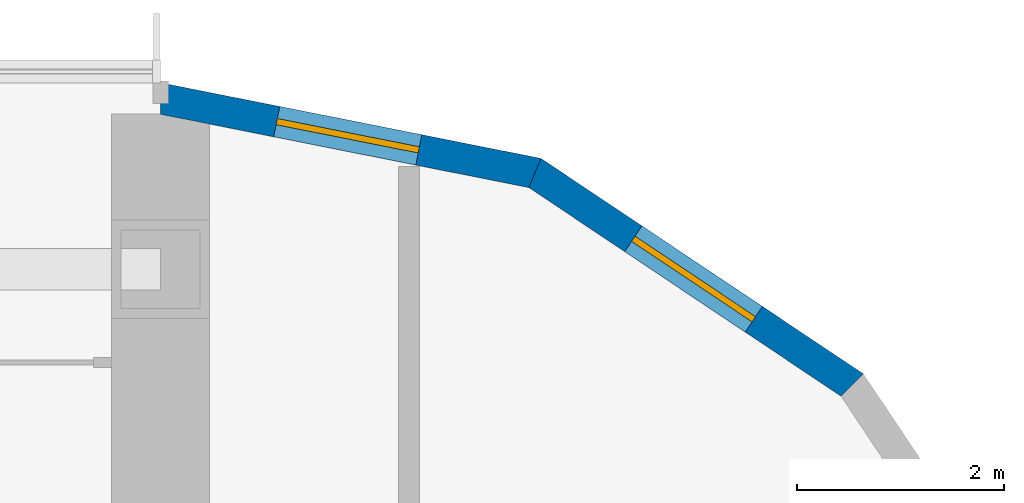
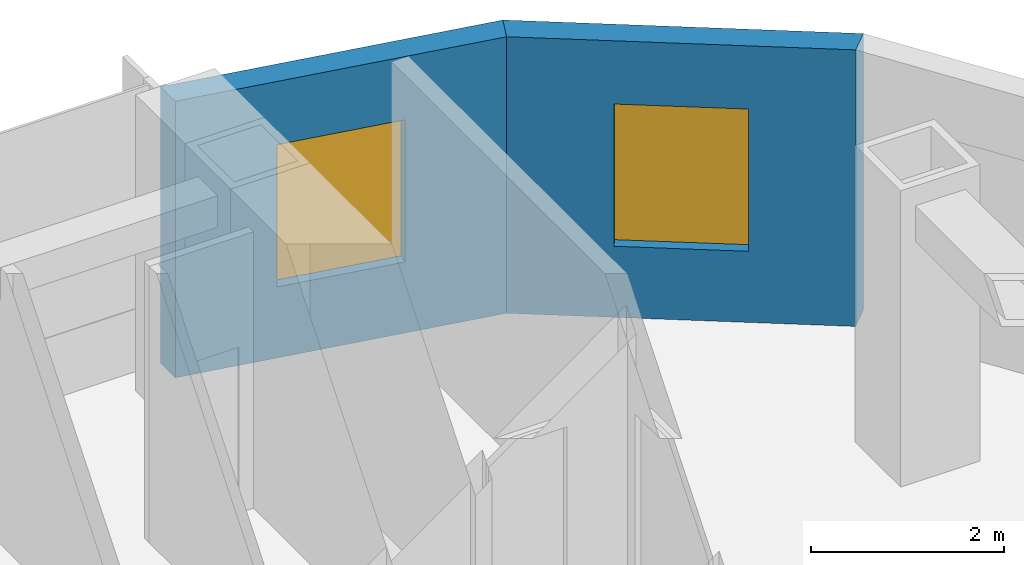
# One storey, part 16 of 21: 2 walls, 2 windows, 2 openings.
"""IFC4 building model written with IfcOpenShell, lengths in metres."""

from ifc_helpers import new_model, si_unit, direction, frame, frame_2d, origin, place, context, subcontext, project, spatial, polyline, rectangle, outline, extrude, material, layer, layer_set, type_object, element, fill, save


model = new_model("IFC4")

# Units and contexts
model_context = context("Model", 3, precision=1e-05, world=origin(), true_north=direction((0.0, 1.0)))
body_context = subcontext(model_context, "Body", "Model", "MODEL_VIEW")
ifc_project = project(units=[si_unit("LENGTHUNIT", "METRE"), si_unit("AREAUNIT", "SQUARE_METRE"), si_unit("VOLUMEUNIT", "CUBIC_METRE"), si_unit("PLANEANGLEUNIT", "RADIAN"), si_unit("MASSUNIT", "GRAM", prefix="KILO")], contexts=[model_context])

# Site, building, storey
site_placement = place(None, origin())
site = spatial("IfcSite", under=ifc_project, at=site_placement, CompositionType="ELEMENT")
building_placement = place(site_placement, origin())
building = spatial("IfcBuilding", under=site, at=building_placement, Name="Orbita Commons", CompositionType="ELEMENT")
storey_placement = place(building_placement, frame((0.0, 0.0, 106.89990234375)))
storey = spatial("IfcBuildingStorey", under=building, at=storey_placement, Name="L26", CompositionType="ELEMENT", Elevation=106.89990234375)

# Wall, opening, window
ifc_material_1 = material(Name="Precast concrete C40/50, white board-marked finish", Category="concrete")
ifc_layer = layer(ifc_material_1, 0.300048828125)
ifc_layer_set = layer_set([ifc_layer], Name="Precast concrete C40/50, white board-marked finish")
wall_type = type_object("IfcWallType", Name="Precast concrete end shield 300", PredefinedType="SOLIDWALL", material=ifc_layer_set)
wall_1_placement = place(storey_placement, frame((72.68212890625, 52.482177734375, 0.0), z_axis=(0.0, 0.0, 1.0), x_axis=(-0.831448786846, 0.555601399253, 0.0)))
wall_1 = element("IfcWall", 1, at=wall_1_placement, inside=storey, type_object=wall_type, Name="End shield NE chord 3 L26", PredefinedType="SOLIDWALL", context=body_context, shape_type="SweptSolid", body=[
    extrude(outline(polyline([(-0.02978515625, -0.14990234375), (3.717041015625, -0.14990234375), (3.657470703125, 0.14990234375), (0.02978515625, 0.14990234375), (-0.02978515625, -0.14990234375)])), origin(), (0.0, 0.0, 1.0), 3.5),
])
opening_1_placement = place(wall_1_placement, frame((1.1435546875, 0.0, 0.89990234375)))
opening_1 = element("IfcOpeningElement", 2, at=opening_1_placement, cuts=wall_1, Name="Opening W02", PredefinedType="OPENING", context=body_context, shape_type="SweptSolid", body=[
    extrude(rectangle(XDim=1.39990234375, YDim=1.800048828125, at=frame_2d((0.699951171875, 0.89990234375))), frame((0.0, 0.159912109375, 0.0), z_axis=(0.0, -1.0, 0.0), x_axis=(1.0, 0.0, 0.0)), (0.0, 0.0, 1.0), 0.320068359375),
])
ifc_material_2 = material(Name="Aluminium frame, clear double glazing", Category="aluminium")
window_type = type_object("IfcWindowType", Name="Deep-set window 1400x1800", PartitioningType="SINGLE_PANEL", PredefinedType="WINDOW", material=ifc_material_2)
window_1_placement = place(opening_1_placement, origin())
window_1 = element("IfcWindow", 3, at=window_1_placement, inside=storey, type_object=window_type, Name="Window L26-NE2", OverallHeight=1.800048828125, OverallWidth=1.39990234375, PartitioningType="SINGLE_PANEL", PredefinedType="WINDOW", context=body_context, shape_type="SweptSolid", body=[
    extrude(rectangle(XDim=1.39990234375, YDim=1.800048828125, at=frame_2d((0.699951171875, 0.89990234375))), frame((0.0, 0.030029296875, 0.0), z_axis=(0.0, -1.0, 0.0), x_axis=(1.0, 0.0, 0.0)), (0.0, 0.0, 1.0), 0.06005859375),
])
fill(opening_1, window_1)

wall_2_placement = place(storey_placement, frame((69.616455078125, 54.53076171875, 0.0), z_axis=(0.0, 0.0, 1.0), x_axis=(-0.980791473772, 0.195059183267, 0.0)))
wall_2 = element("IfcWall", 4, at=wall_2_placement, inside=storey, type_object=wall_type, Name="End shield NE chord 4 L26", PredefinedType="SOLIDWALL", context=body_context, shape_type="SweptSolid", body=[
    extrude(outline(polyline([(-0.02978515625, -0.14990234375), (3.717041015625, -0.14990234375), (3.657470703125, 0.14990234375), (0.02978515625, 0.14990234375), (-0.02978515625, -0.14990234375)])), origin(), (0.0, 0.0, 1.0), 3.5),
])
opening_2_placement = place(wall_2_placement, frame((1.1435546875, 0.0, 0.89990234375)))
opening_2 = element("IfcOpeningElement", 5, at=opening_2_placement, cuts=wall_2, Name="Opening W02", PredefinedType="OPENING", context=body_context, shape_type="SweptSolid", body=[
    extrude(rectangle(XDim=1.39990234375, YDim=1.800048828125, at=frame_2d((0.699951171875, 0.89990234375))), frame((0.0, 0.159912109375, 0.0), z_axis=(0.0, -1.0, 0.0), x_axis=(1.0, 0.0, 0.0)), (0.0, 0.0, 1.0), 0.320068359375),
])
window_2_placement = place(opening_2_placement, origin())
window_2 = element("IfcWindow", 6, at=window_2_placement, inside=storey, type_object=window_type, Name="Window L26-NE3", OverallHeight=1.800048828125, OverallWidth=1.39990234375, PartitioningType="SINGLE_PANEL", PredefinedType="WINDOW", context=body_context, shape_type="SweptSolid", body=[
    extrude(rectangle(XDim=1.39990234375, YDim=1.800048828125, at=frame_2d((0.699951171875, 0.89990234375))), frame((0.0, 0.030029296875, 0.0), z_axis=(0.0, -1.0, 0.0), x_axis=(1.0, 0.0, 0.0)), (0.0, 0.0, 1.0), 0.06005859375),
])
fill(opening_2, window_2)

save(model, "model.ifc")
